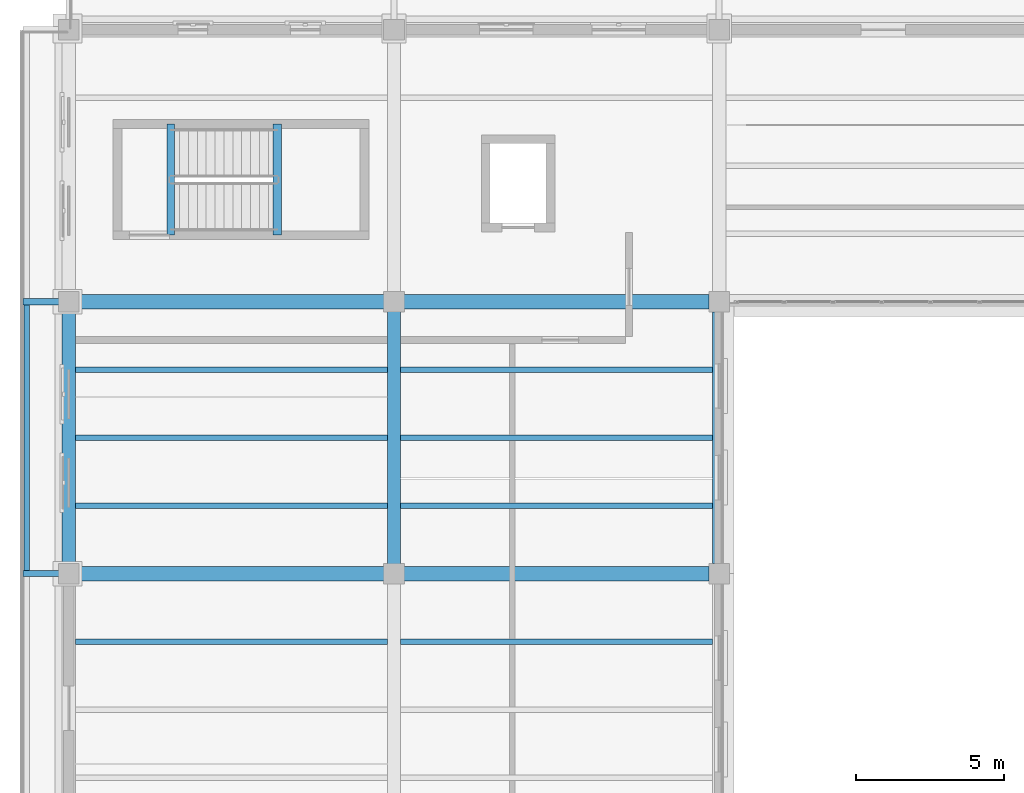
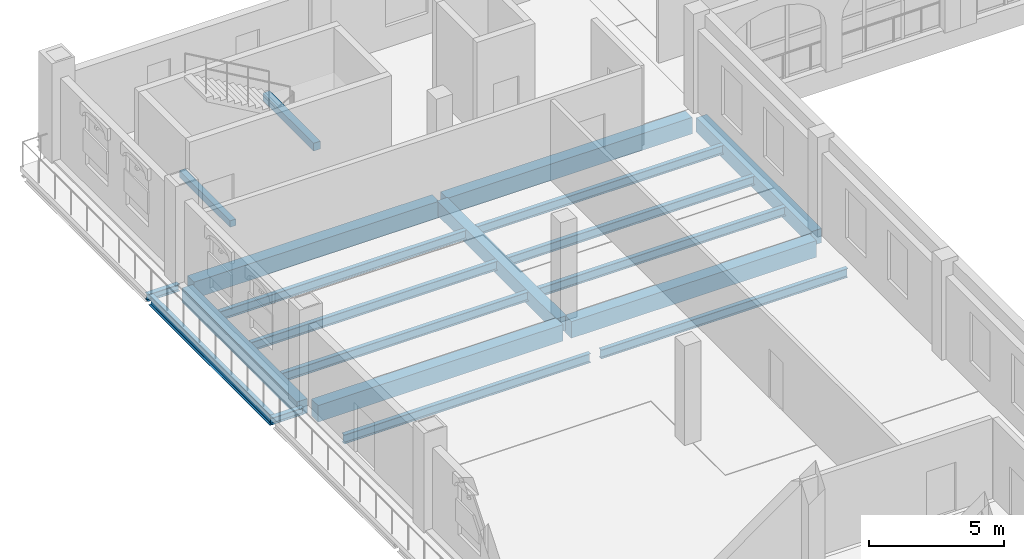
# One storey, part 48 of 156: 20 beams.
"""IFC4 building model written with IfcOpenShell, lengths in metres."""

from ifc_helpers import new_model, si_unit, direction, frame, origin, origin_2d, place, context, subcontext, project, spatial, rectangle, i_section, extrude, material, material_profile, profile_set, type_object, element, save


model = new_model("IFC4")

# Units and contexts
model_context = context("Model", 3, precision=1e-05, world=origin(), true_north=direction((0.0, 1.0)))
body_context = subcontext(model_context, "Body", "Model", "MODEL_VIEW")
ifc_project = project(units=[si_unit("LENGTHUNIT", "METRE"), si_unit("AREAUNIT", "SQUARE_METRE"), si_unit("VOLUMEUNIT", "CUBIC_METRE"), si_unit("PLANEANGLEUNIT", "RADIAN"), si_unit("MASSUNIT", "GRAM", prefix="KILO")], contexts=[model_context])

# Site, building, storey
site_placement = place(None, origin())
site = spatial("IfcSite", under=ifc_project, at=site_placement, CompositionType="ELEMENT")
building_placement = place(site_placement, origin())
building = spatial("IfcBuilding", under=site, at=building_placement, Name="Caurita Quay Ferry Terminal", CompositionType="ELEMENT")
storey_placement = place(building_placement, frame((0.0, 0.0, 5.39990234375)))
storey = spatial("IfcBuildingStorey", under=building, at=storey_placement, Name="L01", CompositionType="ELEMENT", Elevation=5.39990234375)

# Beams
ifc_material_1 = material(Name="Structural steel ASTM A992 Gr. 50", Category="steel")
ifc_material_profile_1 = material_profile(ifc_material_1, i_section(OverallWidth=0.193115234375, OverallDepth=0.46728515625, WebThickness=0.011474609375, FlangeThickness=0.01904296875, FilletRadius=0.0126953125, at=origin_2d()), Name="W18X65")
ifc_profile_set_1 = profile_set([ifc_material_profile_1], Name="Structural steel ASTM A992 Gr. 50")
beam_type_1 = type_object("IfcBeamType", Name="BM-GR-W18A", PredefinedType="BEAM", material=ifc_profile_set_1)
beam_1_placement = place(storey_placement, frame((-1.419921875, 98.7021484375, -0.45361328125), z_axis=(0.0, 1.0, 0.0), x_axis=(-1.0, 0.0, 0.0)))
element("IfcBeam", 1, at=beam_1_placement, inside=storey, type_object=beam_type_1, Name="L01 Balcony Front Edge Beam 10", PredefinedType="BEAM", context=body_context, shape_type="SweptSolid", body=[
    extrude(i_section(OverallWidth=0.193115234375, OverallDepth=0.46728515625, WebThickness=0.011474609375, FlangeThickness=0.01904296875, FilletRadius=0.0126953125, at=origin_2d()), origin(), (0.0, 0.0, 1.0), 8.99560546875),
])
ifc_material_profile_2 = material_profile(ifc_material_1, i_section(OverallWidth=0.1787109375, OverallDepth=0.408935546875, WebThickness=0.0087890625, FlangeThickness=0.014404296875, FilletRadius=0.011474609375, at=origin_2d()), Name="W16X45")
ifc_profile_set_2 = profile_set([ifc_material_profile_2], Name="Structural steel ASTM A992 Gr. 50")
beam_type_2 = type_object("IfcBeamType", Name="BM-JS-W16A", PredefinedType="JOIST", material=ifc_profile_set_2)
for number, where, z_axis, x_axis, name in (
    (2, (0.22509765625, 96.300048828125, -0.42431640625), (1.0, 0.0, 0.0), (0.0, 1.0, 0.0), "L01 Beam JS-V5-L01-007"),
    (3, (0.22509765625, 100.89990234375, -0.42431640625), (1.0, 0.0, 0.0), (0.0, 1.0, 0.0), "L01 Beam JS-V5-L01-008"),
    (4, (0.22509765625, 103.199951171875, -0.42431640625), (1.0, 0.0, 0.0), (0.0, 1.0, 0.0), "L01 Beam JS-V5-L01-009"),
    (5, (0.22509765625, 105.5, -0.42431640625), (1.0, 0.0, 0.0), (0.0, 1.0, 0.0), "L01 Beam JS-V5-L01-010"),
    (6, (11.22509765625, 96.300048828125, -0.42431640625), (1.0, 0.0, 0.0), (0.0, 1.0, 0.0), "L01 Beam JS-V5-L01-018"),
    (7, (11.22509765625, 100.89990234375, -0.42431640625), (1.0, 0.0, 0.0), (0.0, 1.0, 0.0), "L01 Beam JS-V5-L01-019"),
    (8, (11.22509765625, 103.199951171875, -0.42431640625), (1.0, 0.0, 0.0), (0.0, 1.0, 0.0), "L01 Beam JS-V5-L01-020"),
    (9, (11.22509765625, 105.5, -0.42431640625), (1.0, 0.0, 0.0), (0.0, 1.0, 0.0), "L01 Beam JS-V5-L01-021"),
):
    element("IfcBeam", number, at=place(storey_placement, frame(where, z_axis=z_axis, x_axis=x_axis)), inside=storey, type_object=beam_type_2, Name=name, PredefinedType="JOIST", context=body_context, shape_type="SweptSolid", body=[
        extrude(i_section(OverallWidth=0.1787109375, OverallDepth=0.408935546875, WebThickness=0.0087890625, FlangeThickness=0.014404296875, FilletRadius=0.011474609375, at=origin_2d()), origin(), (0.0, 0.0, 1.0), 10.5498046875),
    ])
ifc_material_profile_3 = material_profile(ifc_material_1, i_section(OverallWidth=0.20458984375, OverallDepth=0.307373046875, WebThickness=0.008544921875, FlangeThickness=0.0146484375, FilletRadius=0.0126953125, at=origin_2d()), Name="W12X45")
ifc_profile_set_3 = profile_set([ifc_material_profile_3], Name="Structural steel ASTM A992 Gr. 50")
beam_type_3 = type_object("IfcBeamType", Name="BM-OUT-W12", PredefinedType="BEAM", material=ifc_profile_set_3)
for number, where, z_axis, x_axis, name in (
    (10, (-0.179931640625, 98.60009765625, -0.37353515625), (-1.0, 0.0, 0.0), (0.0, -1.0, 0.0), "L01 Balcony Outrigger Cantilever 12"),
    (11, (-0.179931640625, 107.800048828125, -0.37353515625), (-1.0, 0.0, 0.0), (0.0, -1.0, 0.0), "L01 Balcony Outrigger Cantilever 13"),
):
    element("IfcBeam", number, at=place(storey_placement, frame(where, z_axis=z_axis, x_axis=x_axis)), inside=storey, type_object=beam_type_3, Name=name, PredefinedType="BEAM", context=body_context, shape_type="SweptSolid", body=[
        extrude(i_section(OverallWidth=0.20458984375, OverallDepth=0.307373046875, WebThickness=0.008544921875, FlangeThickness=0.0146484375, FilletRadius=0.0126953125, at=origin_2d()), origin(), (0.0, 0.0, 1.0), 1.3701171875),
    ])
ifc_material_2 = material(Name="Reinforced concrete C35/45", Category="concrete")
ifc_material_profile_4 = material_profile(ifc_material_2, rectangle(XDim=0.449951171875, YDim=0.64990234375, at=origin_2d()), Name="RC-BM-450X650")
ifc_profile_set_4 = profile_set([ifc_material_profile_4], Name="Reinforced concrete C35/45")
beam_type_4 = type_object("IfcBeamType", Name="BM-RC-4565", PredefinedType="BEAM", material=ifc_profile_set_4)
beam_2_placement = place(storey_placement, frame((0.0, 98.93994140625, -0.544921875), z_axis=(0.0, 1.0, 0.0), x_axis=(-1.0, 0.0, 0.0)))
element("IfcBeam", 12, at=beam_2_placement, inside=storey, type_object=beam_type_4, Name="L01 Beam BM-V5-L01-Y-0-989", PredefinedType="BEAM", context=body_context, shape_type="SweptSolid", body=[
    extrude(rectangle(XDim=0.449951171875, YDim=0.64990234375, at=origin_2d()), origin(), (0.0, 0.0, 1.0), 8.52001953125),
])
beam_3_placement = place(storey_placement, frame((11.0, 98.784423828125, -0.544921875), z_axis=(0.0, 1.0, 0.0), x_axis=(-1.0, 0.0, 0.0)))
element("IfcBeam", 13, at=beam_3_placement, inside=storey, type_object=beam_type_4, Name="L01 Beam BM-V5-L01-Y-110-988", PredefinedType="BEAM", context=body_context, shape_type="SweptSolid", body=[
    extrude(rectangle(XDim=0.449951171875, YDim=0.64990234375, at=origin_2d()), origin(), (0.0, 0.0, 1.0), 8.8310546875),
])
beam_4_placement = place(storey_placement, frame((22.0, 98.93994140625, -0.544921875), z_axis=(0.0, 1.0, 0.0), x_axis=(-1.0, 0.0, 0.0)))
element("IfcBeam", 14, at=beam_4_placement, inside=storey, type_object=beam_type_4, Name="L01 Beam BM-V5-L01-Y-220-989", PredefinedType="BEAM", context=body_context, shape_type="SweptSolid", body=[
    extrude(rectangle(XDim=0.449951171875, YDim=0.64990234375, at=origin_2d()), origin(), (0.0, 0.0, 1.0), 8.52001953125),
])
ifc_material_profile_5 = material_profile(ifc_material_2, rectangle(XDim=0.5, YDim=0.75, at=origin_2d()), Name="RC-BM-500X750")
ifc_profile_set_5 = profile_set([ifc_material_profile_5], Name="Reinforced concrete C35/45")
beam_type_5 = type_object("IfcBeamType", Name="BM-RC-5075", PredefinedType="BEAM", material=ifc_profile_set_5)
for number, where, z_axis, x_axis, name in (
    (15, (0.340087890625, 98.60009765625, -0.594970703125), (1.0, 0.0, 0.0), (0.0, 1.0, 0.0), "L01 Beam BM-V5-L01-X-3-986"),
    (16, (11.1748046875, 98.60009765625, -0.594970703125), (1.0, 0.0, 0.0), (0.0, 1.0, 0.0), "L01 Beam BM-V5-L01-X-112-986"),
    (17, (0.340087890625, 107.800048828125, -0.594970703125), (1.0, 0.0, 0.0), (0.0, 1.0, 0.0), "L01 Beam BM-V5-L01-X-3-1078"),
    (18, (11.1748046875, 107.800048828125, -0.594970703125), (1.0, 0.0, 0.0), (0.0, 1.0, 0.0), "L01 Beam BM-V5-L01-X-112-1078"),
):
    element("IfcBeam", number, at=place(storey_placement, frame(where, z_axis=z_axis, x_axis=x_axis)), inside=storey, type_object=beam_type_5, Name=name, PredefinedType="BEAM", context=body_context, shape_type="SweptSolid", body=[
        extrude(rectangle(XDim=0.5, YDim=0.75, at=origin_2d()), origin(), (0.0, 0.0, 1.0), 10.485107421875),
    ])
ifc_material_profile_6 = material_profile(ifc_material_2, rectangle(XDim=0.25, YDim=0.300048828125, at=origin_2d()), Name="RC-LN-250X300")
ifc_profile_set_6 = profile_set([ifc_material_profile_6], Name="Reinforced concrete C35/45")
beam_type_6 = type_object("IfcBeamType", Name="LN-RC-2530", PredefinedType="LINTEL", material=ifc_profile_set_6)
beam_5_placement = place(storey_placement, frame((3.449951171875, 110.050048828125, -0.14990234375), z_axis=(0.0, 1.0, 0.0), x_axis=(-1.0, 0.0, 0.0)))
element("IfcBeam", 19, at=beam_5_placement, inside=storey, type_object=beam_type_6, Name="L01 Stair ST-01 Landing Trimmer Beam", PredefinedType="LINTEL", context=body_context, shape_type="SweptSolid", body=[
    extrude(rectangle(XDim=0.25, YDim=0.300048828125, at=origin_2d()), origin(), (0.0, 0.0, 1.0), 3.760009765625),
])
ifc_material_profile_7 = material_profile(ifc_material_2, rectangle(XDim=0.300048828125, YDim=0.35009765625, at=origin_2d()), Name="RC-LN-300X350")
ifc_profile_set_7 = profile_set([ifc_material_profile_7], Name="Reinforced concrete C35/45")
beam_type_7 = type_object("IfcBeamType", Name="LN-RC-3035", PredefinedType="LINTEL", material=ifc_profile_set_7)
beam_6_placement = place(storey_placement, frame((7.050048828125, 110.050048828125, 2.0751953125), z_axis=(0.0, 1.0, 0.0), x_axis=(-1.0, 0.0, 0.0)))
element("IfcBeam", 20, at=beam_6_placement, inside=storey, type_object=beam_type_7, Name="L01 Stair ST-01 Half-Landing Beam 1", PredefinedType="LINTEL", context=body_context, shape_type="SweptSolid", body=[
    extrude(rectangle(XDim=0.300048828125, YDim=0.35009765625, at=origin_2d()), origin(), (0.0, 0.0, 1.0), 3.760009765625),
])

save(model, "model.ifc")
